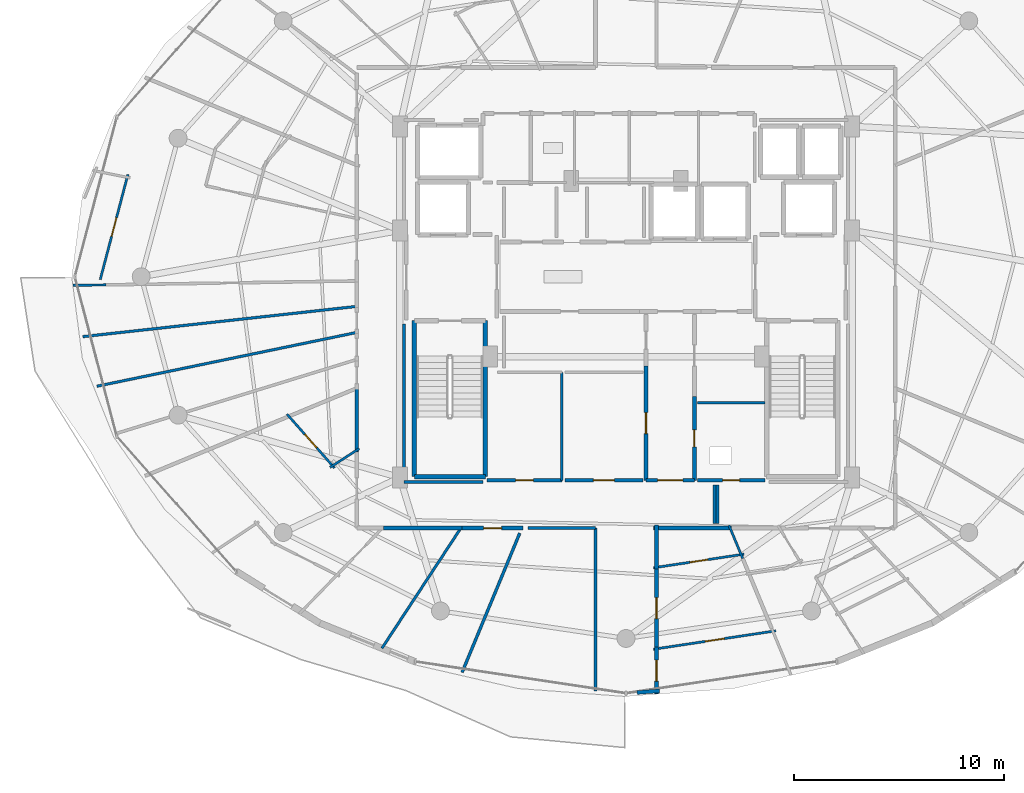
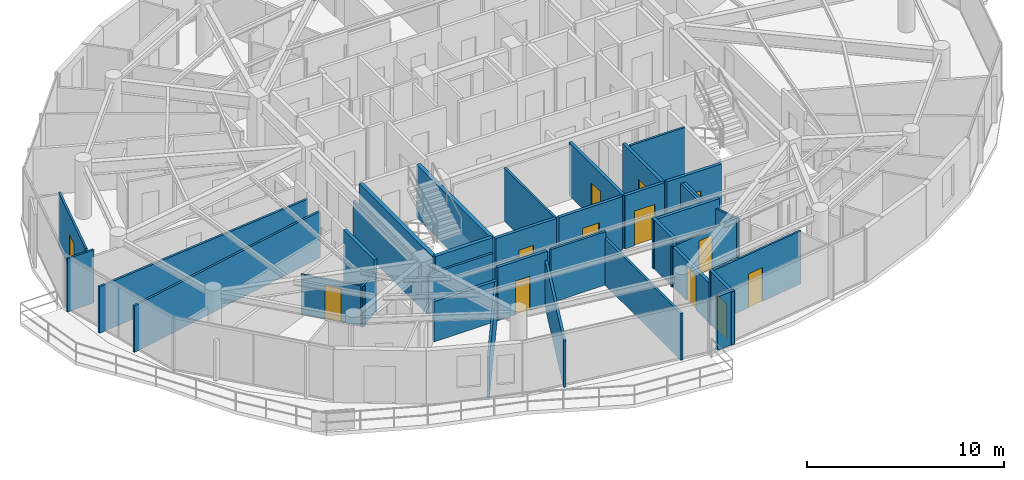
# One storey, part 23 of 31: 36 walls, 13 doors, 13 openings.
"""IFC4 building model written with IfcOpenShell, lengths in metres."""

from ifc_helpers import new_model, si_unit, direction, frame, frame_2d, origin, place, context, subcontext, project, spatial, rectangle, extrude, material, layer, layer_set, type_object, element, fill, save


model = new_model("IFC4")

# Units and contexts
model_context = context("Model", 3, precision=1e-05, world=origin(), true_north=direction((0.0, 1.0)))
body_context = subcontext(model_context, "Body", "Model", "MODEL_VIEW")
ifc_project = project(units=[si_unit("LENGTHUNIT", "METRE"), si_unit("AREAUNIT", "SQUARE_METRE"), si_unit("VOLUMEUNIT", "CUBIC_METRE"), si_unit("PLANEANGLEUNIT", "RADIAN"), si_unit("MASSUNIT", "GRAM", prefix="KILO")], contexts=[model_context])

# Site, building, storey
site_placement = place(None, origin())
site = spatial("IfcSite", under=ifc_project, at=site_placement, CompositionType="ELEMENT")
building_placement = place(site_placement, origin())
building = spatial("IfcBuilding", under=site, at=building_placement, Name="Vorneva Point Tower", CompositionType="ELEMENT")
storey_placement = place(building_placement, frame((0.0, 0.0, 248.449951171875)))
storey = spatial("IfcBuildingStorey", under=building, at=storey_placement, Name="L67", CompositionType="ELEMENT", Elevation=248.449951171875)

# Wall, opening, door
ifc_material_1 = material(Name="Fire-rated acoustic gypsum stud partition", Category="gypsum")
ifc_layer_1 = layer(ifc_material_1, 0.110107421875)
ifc_layer_set_1 = layer_set([ifc_layer_1], Name="Fire-rated acoustic gypsum stud partition")
wall_type_1 = type_object("IfcWallType", Name="WL-PART-110", PredefinedType="PARTITIONING", material=ifc_layer_set_1)
wall_1_placement = place(storey_placement, frame((14.318603515625, 30.8603515625, 0.0), z_axis=(0.0, 0.0, 1.0), x_axis=(-0.254404898477, -0.967097796312, 0.0)))
wall_1 = element("IfcWall", 1, at=wall_1_placement, inside=storey, type_object=wall_type_1, Name="L67 Interior Partition 089", PredefinedType="PARTITIONING", context=body_context, shape_type="SweptSolid", body=[
    extrude(rectangle(XDim=5.165771484375, YDim=0.110107421875, at=frame_2d((2.5830078125, 0.0))), origin(), (0.0, 0.0, 1.0), 3.2900390625),
])
opening_1_placement = place(wall_1_placement, frame((2.1328125, 0.0, 0.0)))
opening_1 = element("IfcOpeningElement", 2, at=opening_1_placement, cuts=wall_1, Name="Opening ID-01", PredefinedType="OPENING", context=body_context, shape_type="SweptSolid", body=[
    extrude(rectangle(XDim=0.89990234375, YDim=2.10009765625, at=frame_2d((0.449951171875, 1.050048828125))), frame((0.0, 0.06982421875, 0.0), z_axis=(0.0, -1.0, 0.0), x_axis=(1.0, 0.0, 0.0)), (0.0, 0.0, 1.0), 0.139892578125),
])
ifc_material_2 = material(Name="Engineered oak fire-rated door leaf", Category="wood")
door_type_1 = type_object("IfcDoorType", Name="DR-ROOM-900", OperationType="NOTDEFINED", PredefinedType="DOOR", material=ifc_material_2)
door_1_placement = place(opening_1_placement, origin())
door_1 = element("IfcDoor", 3, at=door_1_placement, inside=storey, type_object=door_type_1, Name="L67 Door Living and Dining Room L67-02 / Kitchen L67-02", OperationType="SINGLE_SWING_LEFT", OverallHeight=2.10009765625, OverallWidth=0.89990234375, PredefinedType="DOOR", context=body_context, shape_type="SweptSolid", body=[
    extrude(rectangle(XDim=0.89990234375, YDim=2.10009765625, at=frame_2d((0.449951171875, 1.050048828125))), frame((0.0, 0.02490234375, 0.0), z_axis=(0.0, -1.0, 0.0), x_axis=(1.0, 0.0, 0.0)), (0.0, 0.0, 1.0), 0.050048828125),
])
fill(opening_1, door_1)

# Walls
wall_2_placement = place(storey_placement, frame((11.714111328125, 25.5869140625, 0.0), z_axis=(0.0, 0.0, 1.0), x_axis=(0.9998813462, 0.015404334465, 0.0)))
element("IfcWall", 4, at=wall_2_placement, inside=storey, type_object=wall_type_1, Name="L67 Interior Partition 096", PredefinedType="PARTITIONING", context=body_context, shape_type="SweptSolid", body=[
    extrude(rectangle(XDim=1.569091796875, YDim=0.110107421875, at=frame_2d((0.78466796875, 0.0))), origin(), (0.0, 0.0, 1.0), 3.2900390625),
])
wall_3_placement = place(storey_placement, frame((25.317626953125, 17.827880859375, 0.0), z_axis=(0.0, 0.0, 1.0), x_axis=(-0.840783734709, -0.541371140207, 0.0)))
element("IfcWall", 5, at=wall_3_placement, inside=storey, type_object=wall_type_1, Name="L67 Interior Partition 101", PredefinedType="PARTITIONING", context=body_context, shape_type="SweptSolid", body=[
    extrude(rectangle(XDim=1.648681640625, YDim=0.110107421875, at=frame_2d((0.82421875, 0.0))), origin(), (0.0, 0.0, 1.0), 2.48193359375),
])

# Wall, opening, door
wall_4_placement = place(storey_placement, frame((24.1416015625, 16.906005859375, 0.0), z_axis=(0.0, 0.0, 1.0), x_axis=(-0.662044708061, 0.749464345068, 0.0)))
wall_4 = element("IfcWall", 6, at=wall_4_placement, inside=storey, type_object=wall_type_1, Name="L67 Interior Partition 102", PredefinedType="PARTITIONING", context=body_context, shape_type="SweptSolid", body=[
    extrude(rectangle(XDim=3.41552734375, YDim=0.110107421875, at=frame_2d((1.707763671875, 0.0))), origin(), (0.0, 0.0, 1.0), 2.48193359375),
])
opening_2_placement = place(wall_4_placement, frame((1.28271484375, 0.0, 0.0)))
opening_2 = element("IfcOpeningElement", 7, at=opening_2_placement, cuts=wall_4, Name="Opening ID-02", PredefinedType="OPENING", context=body_context, shape_type="SweptSolid", body=[
    extrude(rectangle(XDim=0.85009765625, YDim=2.10009765625, at=frame_2d((0.425048828125, 1.050048828125))), frame((0.0, 0.06982421875, 0.0), z_axis=(0.0, -1.0, 0.0), x_axis=(1.0, 0.0, 0.0)), (0.0, 0.0, 1.0), 0.139892578125),
])
door_type_2 = type_object("IfcDoorType", Name="DR-BATH-850", OperationType="NOTDEFINED", PredefinedType="DOOR", material=ifc_material_2)
door_2_placement = place(opening_2_placement, origin())
door_2 = element("IfcDoor", 8, at=door_2_placement, inside=storey, type_object=door_type_2, Name="L67 Door Living and Dining Room L67-03 / Bathroom L67-03", OperationType="SINGLE_SWING_RIGHT", OverallHeight=2.10009765625, OverallWidth=0.85009765625, PredefinedType="DOOR", context=body_context, shape_type="SweptSolid", body=[
    extrude(rectangle(XDim=0.85009765625, YDim=2.10009765625, at=frame_2d((0.425048828125, 1.050048828125))), frame((0.0, 0.02490234375, 0.0), z_axis=(0.0, -1.0, 0.0), x_axis=(1.0, 0.0, 0.0)), (0.0, 0.0, 1.0), 0.050048828125),
])
fill(opening_2, door_2)

# Wall
wall_5_placement = place(storey_placement, frame((43.549560546875, 12.602783203125, 0.0), z_axis=(0.0, 0.0, 1.0), x_axis=(-0.382735094105, 0.923858131826, 0.0)))
element("IfcWall", 9, at=wall_5_placement, inside=storey, type_object=wall_type_1, Name="L67 Interior Partition 109", PredefinedType="PARTITIONING", context=body_context, shape_type="SweptSolid", body=[
    extrude(rectangle(XDim=1.706298828125, YDim=0.110107421875, at=frame_2d((0.85302734375, 0.0))), origin(), (0.0, 0.0, 1.0), 2.48193359375),
])

# Wall, opening, door
wall_6_placement = place(storey_placement, frame((43.611328125, 12.807861328125, 0.0), z_axis=(0.0, 0.0, 1.0), x_axis=(-0.988876968465, -0.148735810213, 0.0)))
wall_6 = element("IfcWall", 10, at=wall_6_placement, inside=storey, type_object=wall_type_1, Name="L67 Interior Partition 110", PredefinedType="PARTITIONING", context=body_context, shape_type="SweptSolid", body=[
    extrude(rectangle(XDim=4.34814453125, YDim=0.110107421875, at=frame_2d((2.174072265625, 0.0))), origin(), (0.0, 0.0, 1.0), 2.48193359375),
])
opening_3_placement = place(wall_6_placement, frame((1.7490234375, 0.0, 0.0)))
opening_3 = element("IfcOpeningElement", 11, at=opening_3_placement, cuts=wall_6, Name="Opening ID-02", PredefinedType="OPENING", context=body_context, shape_type="SweptSolid", body=[
    extrude(rectangle(XDim=0.85009765625, YDim=2.10009765625, at=frame_2d((0.425048828125, 1.050048828125))), frame((0.0, 0.06982421875, 0.0), z_axis=(0.0, -1.0, 0.0), x_axis=(1.0, 0.0, 0.0)), (0.0, 0.0, 1.0), 0.139892578125),
])
door_3_placement = place(opening_3_placement, origin())
door_3 = element("IfcDoor", 12, at=door_3_placement, inside=storey, type_object=door_type_2, Name="L67 Door Studio Apartment L67-04 / Bathroom L67-04", OperationType="SINGLE_SWING_LEFT", OverallHeight=2.10009765625, OverallWidth=0.85009765625, PredefinedType="DOOR", context=body_context, shape_type="SweptSolid", body=[
    extrude(rectangle(XDim=0.85009765625, YDim=2.10009765625, at=frame_2d((0.425048828125, 1.050048828125))), frame((0.0, 0.02490234375, 0.0), z_axis=(0.0, -1.0, 0.0), x_axis=(1.0, 0.0, 0.0)), (0.0, 0.0, 1.0), 0.050048828125),
])
fill(opening_3, door_3)

wall_7_placement = place(storey_placement, frame((39.3115234375, 8.289306640625, 0.0), z_axis=(0.0, 0.0, 1.0), x_axis=(0.988884781275, 0.1486838571, 0.0)))
wall_7 = element("IfcWall", 13, at=wall_7_placement, inside=storey, type_object=wall_type_1, Name="L67 Interior Partition 112", PredefinedType="PARTITIONING", context=body_context, shape_type="SweptSolid", body=[
    extrude(rectangle(XDim=5.875, YDim=0.110107421875, at=frame_2d((2.9375, 0.0))), origin(), (0.0, 0.0, 1.0), 3.2900390625),
])
opening_4_placement = place(wall_7_placement, frame((2.487548828125, 0.0, 0.0)))
opening_4 = element("IfcOpeningElement", 14, at=opening_4_placement, cuts=wall_7, Name="Opening ID-01", PredefinedType="OPENING", context=body_context, shape_type="SweptSolid", body=[
    extrude(rectangle(XDim=0.89990234375, YDim=2.10009765625, at=frame_2d((0.449951171875, 1.050048828125))), frame((0.0, 0.06982421875, 0.0), z_axis=(0.0, -1.0, 0.0), x_axis=(1.0, 0.0, 0.0)), (0.0, 0.0, 1.0), 0.139892578125),
])
door_4_placement = place(opening_4_placement, origin())
door_4 = element("IfcDoor", 15, at=door_4_placement, inside=storey, type_object=door_type_1, Name="L67 Door Studio Apartment L67-04 / Kitchen L67-04", OperationType="SINGLE_SWING_RIGHT", OverallHeight=2.10009765625, OverallWidth=0.89990234375, PredefinedType="DOOR", context=body_context, shape_type="SweptSolid", body=[
    extrude(rectangle(XDim=0.89990234375, YDim=2.10009765625, at=frame_2d((0.449951171875, 1.050048828125))), frame((0.0, 0.02490234375, 0.0), z_axis=(0.0, -1.0, 0.0), x_axis=(1.0, 0.0, 0.0)), (0.0, 0.0, 1.0), 0.050048828125),
])
fill(opening_4, door_4)

# Walls
ifc_layer_2 = layer(ifc_material_1, 0.125)
ifc_layer_set_2 = layer_set([ifc_layer_2], Name="Fire-rated acoustic gypsum stud partition")
wall_type_2 = type_object("IfcWallType", Name="WL-PART-125", PredefinedType="PARTITIONING", material=ifc_layer_set_2)
wall_8_placement = place(storey_placement, frame((44.60009765625, 20.0, 0.0), z_axis=(0.0, 0.0, 1.0), x_axis=(-1.0, 0.0, 0.0)))
element("IfcWall", 16, at=wall_8_placement, inside=storey, type_object=wall_type_2, Name="L67 Interior Partition 020", PredefinedType="PARTITIONING", context=body_context, shape_type="SweptSolid", body=[
    extrude(rectangle(XDim=3.2001953125, YDim=0.125, at=frame_2d((1.60009765625, 0.0))), origin(), (0.0, 0.0, 1.0), 3.2900390625),
])
wall_9_placement = place(storey_placement, frame((34.949951171875, 16.320068359375, 0.0), z_axis=(0.0, 0.0, 1.0), x_axis=(0.0, 1.0, 0.0)))
element("IfcWall", 17, at=wall_9_placement, inside=storey, type_object=wall_type_2, Name="L67 Interior Partition 033", PredefinedType="PARTITIONING", context=body_context, shape_type="SweptSolid", body=[
    extrude(rectangle(XDim=5.1298828125, YDim=0.125, at=frame_2d((2.56494140625, 0.0))), origin(), (0.0, 0.0, 1.0), 3.2900390625),
])
wall_10_placement = place(storey_placement, frame((12.172119140625, 23.14892578125, 0.0), z_axis=(0.0, 0.0, 1.0), x_axis=(0.993963433103, 0.109711866515, 0.0)))
element("IfcWall", 18, at=wall_10_placement, inside=storey, type_object=wall_type_2, Name="L67 Interior Partition 097", PredefinedType="PARTITIONING", context=body_context, shape_type="SweptSolid", body=[
    extrude(rectangle(XDim=13.10693359375, YDim=0.125, at=frame_2d((6.553466796875, 0.0))), origin(), (0.0, 0.0, 1.0), 2.8740234375),
])
wall_11_placement = place(storey_placement, frame((12.844970703125, 20.791015625, 0.0), z_axis=(0.0, 0.0, 1.0), x_axis=(0.97923049011, 0.202750208975, 0.0)))
element("IfcWall", 19, at=wall_11_placement, inside=storey, type_object=wall_type_2, Name="L67 Interior Partition 098", PredefinedType="PARTITIONING", context=body_context, shape_type="SweptSolid", body=[
    extrude(rectangle(XDim=12.616943359375, YDim=0.125, at=frame_2d((6.30859375, 0.0))), origin(), (0.0, 0.0, 1.0), 2.8740234375),
])
wall_12_placement = place(storey_placement, frame((26.39697265625, 8.3359375, 0.0), z_axis=(0.0, 0.0, 1.0), x_axis=(0.548967647923, 0.835843598728, 0.0)))
element("IfcWall", 20, at=wall_12_placement, inside=storey, type_object=wall_type_2, Name="L67 Interior Partition 108", PredefinedType="PARTITIONING", context=body_context, shape_type="SweptSolid", body=[
    extrude(rectangle(XDim=6.83642578125, YDim=0.125, at=frame_2d((3.418212890625, 0.0))), origin(), (0.0, 0.0, 1.0), 2.48193359375),
])
ifc_layer_3 = layer(ifc_material_1, 0.139892578125)
ifc_layer_set_3 = layer_set([ifc_layer_3], Name="Fire-rated acoustic gypsum stud partition")
wall_type_3 = type_object("IfcWallType", Name="WL-PART-140", PredefinedType="PARTITIONING", material=ifc_layer_set_3)
wall_13_placement = place(storey_placement, frame((33.330078125, 14.050048828125, 0.0), z_axis=(0.0, 0.0, 1.0), x_axis=(1.0, 0.0, 0.0)))
element("IfcWall", 21, at=wall_13_placement, inside=storey, type_object=wall_type_3, Name="L67 Interior Closure Partition 137", PredefinedType="PARTITIONING", context=body_context, shape_type="SweptSolid", body=[
    extrude(rectangle(XDim=3.219970703125, YDim=0.139892578125, at=frame_2d((1.60986328125, 0.0))), origin(), (0.0, 0.0, 1.0), 3.2900390625),
])
wall_14_placement = place(storey_placement, frame((36.550048828125, 14.050048828125, 0.0), z_axis=(0.0, 0.0, 1.0), x_axis=(0.0, -1.0, 0.0)))
element("IfcWall", 22, at=wall_14_placement, inside=storey, type_object=wall_type_3, Name="L67 Interior Closure Partition 138", PredefinedType="PARTITIONING", context=body_context, shape_type="SweptSolid", body=[
    extrude(rectangle(XDim=7.7509765625, YDim=0.139892578125, at=frame_2d((3.87548828125, 0.0))), origin(), (0.0, 0.0, 1.0), 2.8740234375),
])
wall_15_placement = place(storey_placement, frame((27.449951171875, 23.75390625, 0.0), z_axis=(0.0, 0.0, 1.0), x_axis=(0.0, -1.0, 0.0)))
element("IfcWall", 23, at=wall_15_placement, inside=storey, type_object=wall_type_3, Name="L67 Interior Closure Partition 148", PredefinedType="PARTITIONING", context=body_context, shape_type="SweptSolid", body=[
    extrude(rectangle(XDim=7.513916015625, YDim=0.139892578125, at=frame_2d((3.7568359375, 0.0))), origin(), (0.0, 0.0, 1.0), 2.48193359375),
])
wall_16_placement = place(storey_placement, frame((27.449951171875, 16.239990234375, 0.0), z_axis=(0.0, 0.0, 1.0), x_axis=(1.0, 0.0, 0.0)))
element("IfcWall", 24, at=wall_16_placement, inside=storey, type_object=wall_type_3, Name="L67 Interior Closure Partition 149", PredefinedType="PARTITIONING", context=body_context, shape_type="SweptSolid", body=[
    extrude(rectangle(XDim=3.7451171875, YDim=0.139892578125, at=frame_2d((1.87255859375, 0.0))), origin(), (0.0, 0.0, 1.0), 2.48193359375),
])
for number, where, z_axis, x_axis, name in (
    (25, (42.199951171875, 16.10009765625, 0.0), (0.0, 0.0, 1.0), (0.0, -1.0, 0.0), "L67 Interior Closure Partition 150"),
    (26, (42.340087890625, 14.27001953125, 0.0), (0.0, 0.0, 1.0), (0.0, 1.0, 0.0), "L67 Interior Closure Partition 151"),
):
    element("IfcWall", number, at=place(storey_placement, frame(where, z_axis=z_axis, x_axis=x_axis)), inside=storey, type_object=wall_type_3, Name=name, PredefinedType="PARTITIONING", context=body_context, shape_type="SweptSolid", body=[
        extrude(rectangle(XDim=1.830078125, YDim=0.139892578125, at=frame_2d((0.9150390625, 0.0))), origin(), (0.0, 0.0, 1.0), 3.02197265625),
    ])
wall_17_placement = place(storey_placement, frame((30.20703125, 7.18701171875, 0.0), z_axis=(0.0, 0.0, 1.0), x_axis=(0.382679691634, 0.923881081964, 0.0)))
element("IfcWall", 27, at=wall_17_placement, inside=storey, type_object=wall_type_3, Name="L67 Interior Closure Partition 152", PredefinedType="PARTITIONING", context=body_context, shape_type="SweptSolid", body=[
    extrude(rectangle(XDim=7.167724609375, YDim=0.139892578125, at=frame_2d((3.583984375, 0.0))), origin(), (0.0, 0.0, 1.0), 2.8740234375),
])

# Wall, opening, door
ifc_material_3 = material(Name="Autoclaved aerated concrete blockwork", Category="masonry")
ifc_layer_4 = layer(ifc_material_3, 0.179931640625)
ifc_layer_set_4 = layer_set([ifc_layer_4], Name="Autoclaved aerated concrete blockwork")
wall_type_4 = type_object("IfcWallType", Name="WL-PART-180", PredefinedType="PARTITIONING", material=ifc_layer_set_4)
wall_18_placement = place(storey_placement, frame((41.25, 16.320068359375, 0.0), z_axis=(0.0, 0.0, 1.0), x_axis=(0.0, 1.0, 0.0)))
wall_18 = element("IfcWall", 28, at=wall_18_placement, inside=storey, type_object=wall_type_4, Name="L67 Interior Partition 015", PredefinedType="PARTITIONING", context=body_context, shape_type="SweptSolid", body=[
    extrude(rectangle(XDim=3.98486328125, YDim=0.179931640625, at=frame_2d((1.992431640625, 0.0))), origin(), (0.0, 0.0, 1.0), 3.2900390625),
])
opening_5_placement = place(wall_18_placement, frame((1.592529296875, 0.0, 0.0)))
opening_5 = element("IfcOpeningElement", 29, at=opening_5_placement, cuts=wall_18, Name="Opening RD-01", PredefinedType="OPENING", context=body_context, shape_type="SweptSolid", body=[
    extrude(rectangle(XDim=0.800048828125, YDim=2.050048828125, at=frame_2d((0.39990234375, 1.02490234375))), frame((0.0, 0.10498046875, 0.0), z_axis=(0.0, -1.0, 0.0), x_axis=(1.0, 0.0, 0.0)), (0.0, 0.0, 1.0), 0.209716796875),
])
ifc_material_4 = material(Name="Fire-rated powder-coated steel", Category="steel")
door_type_3 = type_object("IfcDoorType", Name="DR-RSR-800", OperationType="SINGLE_SWING_LEFT", PredefinedType="DOOR", material=ifc_material_4)
door_5_placement = place(opening_5_placement, origin())
door_5 = element("IfcDoor", 30, at=door_5_placement, inside=storey, type_object=door_type_3, Name="L67 Door Core Service Lobby / Electrical Riser", OperationType="SINGLE_SWING_LEFT", OverallHeight=2.050048828125, OverallWidth=0.800048828125, PredefinedType="DOOR", context=body_context, shape_type="SweptSolid", body=[
    extrude(rectangle(XDim=0.800048828125, YDim=2.050048828125, at=frame_2d((0.39990234375, 1.02490234375))), frame((0.0, 0.02490234375, 0.0), z_axis=(0.0, -1.0, 0.0), x_axis=(1.0, 0.0, 0.0)), (0.0, 0.0, 1.0), 0.050048828125),
])
fill(opening_5, door_5)

wall_19_placement = place(storey_placement, frame((38.949951171875, 21.7548828125, 0.0), z_axis=(0.0, 0.0, 1.0), x_axis=(0.0, -1.0, 0.0)))
wall_19 = element("IfcWall", 31, at=wall_19_placement, inside=storey, type_object=wall_type_4, Name="L67 Interior Partition 017", PredefinedType="PARTITIONING", context=body_context, shape_type="SweptSolid", body=[
    extrude(rectangle(XDim=5.434814453125, YDim=0.179931640625, at=frame_2d((2.71728515625, 0.0))), origin(), (0.0, 0.0, 1.0), 3.2900390625),
])
opening_6_placement = place(wall_19_placement, frame((2.217529296875, 0.0, 0.0)))
opening_6 = element("IfcOpeningElement", 32, at=opening_6_placement, cuts=wall_19, Name="Opening UD-01", PredefinedType="OPENING", context=body_context, shape_type="SweptSolid", body=[
    extrude(rectangle(XDim=1.0, YDim=2.14990234375, at=frame_2d((0.5, 1.074951171875))), frame((0.0, 0.10498046875, 0.0), z_axis=(0.0, -1.0, 0.0), x_axis=(1.0, 0.0, 0.0)), (0.0, 0.0, 1.0), 0.209716796875),
])
door_type_4 = type_object("IfcDoorType", Name="DR-UNIT-1000", OperationType="NOTDEFINED", PredefinedType="DOOR", material=ifc_material_2)
door_6_placement = place(opening_6_placement, origin())
door_6 = element("IfcDoor", 33, at=door_6_placement, inside=storey, type_object=door_type_4, Name="L67 Door Core Service Lobby / Staff Service Pantry", OperationType="SINGLE_SWING_LEFT", OverallHeight=2.14990234375, OverallWidth=1.0, PredefinedType="DOOR", context=body_context, shape_type="SweptSolid", body=[
    extrude(rectangle(XDim=1.0, YDim=2.14990234375, at=frame_2d((0.5, 1.074951171875))), frame((0.0, 0.02490234375, 0.0), z_axis=(0.0, -1.0, 0.0), x_axis=(1.0, 0.0, 0.0)), (0.0, 0.0, 1.0), 0.050048828125),
])
fill(opening_6, door_6)

wall_20_placement = place(storey_placement, frame((38.949951171875, 16.320068359375, 0.0), z_axis=(0.0, 0.0, 1.0), x_axis=(1.0, 0.0, 0.0)))
wall_20 = element("IfcWall", 34, at=wall_20_placement, inside=storey, type_object=wall_type_4, Name="L67 Interior Partition 019", PredefinedType="PARTITIONING", context=body_context, shape_type="SweptSolid", body=[
    extrude(rectangle(XDim=2.300048828125, YDim=0.179931640625, at=frame_2d((1.14990234375, 0.0))), origin(), (0.0, 0.0, 1.0), 3.2900390625),
])
opening_7_placement = place(wall_20_placement, frame((0.550048828125, 0.0, 0.0)))
opening_7 = element("IfcOpeningElement", 35, at=opening_7_placement, cuts=wall_20, Name="Opening FD-02", PredefinedType="OPENING", context=body_context, shape_type="SweptSolid", body=[
    extrude(rectangle(XDim=1.199951171875, YDim=2.14990234375, at=frame_2d((0.60009765625, 1.074951171875))), frame((0.0, 0.10498046875, 0.0), z_axis=(0.0, -1.0, 0.0), x_axis=(1.0, 0.0, 0.0)), (0.0, 0.0, 1.0), 0.209716796875),
])
door_type_5 = type_object("IfcDoorType", Name="DR-FFL-1200", OperationType="NOTDEFINED", PredefinedType="DOOR", material=ifc_material_4)
door_7_placement = place(opening_7_placement, origin())
door_7 = element("IfcDoor", 36, at=door_7_placement, inside=storey, type_object=door_type_5, Name="L67 Door Core Service Lobby / L67 Circulation Corridor", OperationType="SINGLE_SWING_LEFT", OverallHeight=2.14990234375, OverallWidth=1.199951171875, PredefinedType="DOOR", context=body_context, shape_type="SweptSolid", body=[
    extrude(rectangle(XDim=1.199951171875, YDim=2.14990234375, at=frame_2d((0.60009765625, 1.074951171875))), frame((0.0, 0.02490234375, 0.0), z_axis=(0.0, -1.0, 0.0), x_axis=(1.0, 0.0, 0.0)), (0.0, 0.0, 1.0), 0.050048828125),
])
fill(opening_7, door_7)

wall_21_placement = place(storey_placement, frame((41.39990234375, 16.320068359375, 0.0), z_axis=(0.0, 0.0, 1.0), x_axis=(1.0, 0.0, 0.0)))
wall_21 = element("IfcWall", 37, at=wall_21_placement, inside=storey, type_object=wall_type_4, Name="L67 Interior Partition 021", PredefinedType="PARTITIONING", context=body_context, shape_type="SweptSolid", body=[
    extrude(rectangle(XDim=3.2001953125, YDim=0.179931640625, at=frame_2d((1.60009765625, 0.0))), origin(), (0.0, 0.0, 1.0), 3.2900390625),
])
opening_8_placement = place(wall_21_placement, frame((1.199951171875, 0.0, 0.0)))
opening_8 = element("IfcOpeningElement", 38, at=opening_8_placement, cuts=wall_21, Name="Opening RD-01", PredefinedType="OPENING", context=body_context, shape_type="SweptSolid", body=[
    extrude(rectangle(XDim=0.800048828125, YDim=2.050048828125, at=frame_2d((0.39990234375, 1.02490234375))), frame((0.0, 0.10498046875, 0.0), z_axis=(0.0, -1.0, 0.0), x_axis=(1.0, 0.0, 0.0)), (0.0, 0.0, 1.0), 0.209716796875),
])
door_8_placement = place(opening_8_placement, origin())
door_8 = element("IfcDoor", 39, at=door_8_placement, inside=storey, type_object=door_type_3, Name="L67 Door Electrical Riser / L67 Circulation Corridor", OperationType="SINGLE_SWING_RIGHT", OverallHeight=2.050048828125, OverallWidth=0.800048828125, PredefinedType="DOOR", context=body_context, shape_type="SweptSolid", body=[
    extrude(rectangle(XDim=0.800048828125, YDim=2.050048828125, at=frame_2d((0.39990234375, 1.02490234375))), frame((0.0, 0.02490234375, 0.0), z_axis=(0.0, -1.0, 0.0), x_axis=(1.0, 0.0, 0.0)), (0.0, 0.0, 1.0), 0.050048828125),
])
fill(opening_8, door_8)

wall_22_placement = place(storey_placement, frame((31.39990234375, 16.320068359375, 0.0), z_axis=(0.0, 0.0, 1.0), x_axis=(1.0, 0.0, 0.0)))
wall_22 = element("IfcWall", 40, at=wall_22_placement, inside=storey, type_object=wall_type_4, Name="L67 Interior Partition 035", PredefinedType="PARTITIONING", context=body_context, shape_type="SweptSolid", body=[
    extrude(rectangle(XDim=3.550048828125, YDim=0.179931640625, at=frame_2d((1.77490234375, 0.0))), origin(), (0.0, 0.0, 1.0), 3.2900390625),
])
opening_9_placement = place(wall_22_placement, frame((1.35009765625, 0.0, 0.0)))
opening_9 = element("IfcOpeningElement", 41, at=opening_9_placement, cuts=wall_22, Name="Opening ID-02", PredefinedType="OPENING", context=body_context, shape_type="SweptSolid", body=[
    extrude(rectangle(XDim=0.85009765625, YDim=2.10009765625, at=frame_2d((0.425048828125, 1.050048828125))), frame((0.0, 0.10498046875, 0.0), z_axis=(0.0, -1.0, 0.0), x_axis=(1.0, 0.0, 0.0)), (0.0, 0.0, 1.0), 0.209716796875),
])
door_9_placement = place(opening_9_placement, origin())
door_9 = element("IfcDoor", 42, at=door_9_placement, inside=storey, type_object=door_type_2, Name="L67 Door Luggage Store / L67 Circulation Corridor", OperationType="SINGLE_SWING_LEFT", OverallHeight=2.10009765625, OverallWidth=0.85009765625, PredefinedType="DOOR", context=body_context, shape_type="SweptSolid", body=[
    extrude(rectangle(XDim=0.85009765625, YDim=2.10009765625, at=frame_2d((0.425048828125, 1.050048828125))), frame((0.0, 0.02490234375, 0.0), z_axis=(0.0, -1.0, 0.0), x_axis=(1.0, 0.0, 0.0)), (0.0, 0.0, 1.0), 0.050048828125),
])
fill(opening_9, door_9)

wall_23_placement = place(storey_placement, frame((35.10009765625, 16.320068359375, 0.0), z_axis=(0.0, 0.0, 1.0), x_axis=(1.0, 0.0, 0.0)))
wall_23 = element("IfcWall", 43, at=wall_23_placement, inside=storey, type_object=wall_type_4, Name="L67 Interior Partition 037", PredefinedType="PARTITIONING", context=body_context, shape_type="SweptSolid", body=[
    extrude(rectangle(XDim=3.699951171875, YDim=0.179931640625, at=frame_2d((1.85009765625, 0.0))), origin(), (0.0, 0.0, 1.0), 3.2900390625),
])
opening_10_placement = place(wall_23_placement, frame((1.35009765625, 0.0, 0.0)))
opening_10 = element("IfcOpeningElement", 44, at=opening_10_placement, cuts=wall_23, Name="Opening UD-01", PredefinedType="OPENING", context=body_context, shape_type="SweptSolid", body=[
    extrude(rectangle(XDim=1.0, YDim=2.14990234375, at=frame_2d((0.5, 1.074951171875))), frame((0.0, 0.10498046875, 0.0), z_axis=(0.0, -1.0, 0.0), x_axis=(1.0, 0.0, 0.0)), (0.0, 0.0, 1.0), 0.209716796875),
])
door_10_placement = place(opening_10_placement, origin())
door_10 = element("IfcDoor", 45, at=door_10_placement, inside=storey, type_object=door_type_4, Name="L67 Door Staff Service Pantry / L67 Circulation Corridor", OperationType="SINGLE_SWING_RIGHT", OverallHeight=2.14990234375, OverallWidth=1.0, PredefinedType="DOOR", context=body_context, shape_type="SweptSolid", body=[
    extrude(rectangle(XDim=1.0, YDim=2.14990234375, at=frame_2d((0.5, 1.074951171875))), frame((0.0, 0.02490234375, 0.0), z_axis=(0.0, -1.0, 0.0), x_axis=(1.0, 0.0, 0.0)), (0.0, 0.0, 1.0), 0.050048828125),
])
fill(opening_10, door_10)

# Walls
wall_24_placement = place(storey_placement, frame((25.199951171875, 20.77294921875, 0.0), z_axis=(0.0, 0.0, 1.0), x_axis=(0.0, -1.0, 0.0)))
element("IfcWall", 46, at=wall_24_placement, inside=storey, type_object=wall_type_4, Name="L67 Interior Partition 051", PredefinedType="PARTITIONING", context=body_context, shape_type="SweptSolid", body=[
    extrude(rectangle(XDim=3.100830078125, YDim=0.179931640625, at=frame_2d((1.55029296875, 0.0))), origin(), (0.0, 0.0, 1.0), 3.2900390625),
])
wall_25_placement = place(storey_placement, frame((26.47998046875, 14.050048828125, 0.0), z_axis=(0.0, 0.0, 1.0), x_axis=(1.0, 0.0, 0.0)))
element("IfcWall", 47, at=wall_25_placement, inside=storey, type_object=wall_type_4, Name="L67 Interior Partition 052", PredefinedType="PARTITIONING", context=body_context, shape_type="SweptSolid", body=[
    extrude(rectangle(XDim=3.72998046875, YDim=0.179931640625, at=frame_2d((1.864990234375, 0.0))), origin(), (0.0, 0.0, 1.0), 2.48193359375),
])

# Wall, opening, door
wall_26_placement = place(storey_placement, frame((30.2099609375, 14.050048828125, 0.0), z_axis=(0.0, 0.0, 1.0), x_axis=(1.0, 0.0, 0.0)))
wall_26 = element("IfcWall", 48, at=wall_26_placement, inside=storey, type_object=wall_type_4, Name="L67 Interior Partition 053", PredefinedType="PARTITIONING", context=body_context, shape_type="SweptSolid", body=[
    extrude(rectangle(XDim=2.900146484375, YDim=0.179931640625, at=frame_2d((1.4501953125, 0.0))), origin(), (0.0, 0.0, 1.0), 3.2900390625),
])
opening_11_placement = place(wall_26_placement, frame((1.02490234375, 0.0, 0.0)))
opening_11 = element("IfcOpeningElement", 49, at=opening_11_placement, cuts=wall_26, Name="Opening ID-02", PredefinedType="OPENING", context=body_context, shape_type="SweptSolid", body=[
    extrude(rectangle(XDim=0.85009765625, YDim=2.10009765625, at=frame_2d((0.425048828125, 1.050048828125))), frame((0.0, 0.10498046875, 0.0), z_axis=(0.0, -1.0, 0.0), x_axis=(1.0, 0.0, 0.0)), (0.0, 0.0, 1.0), 0.209716796875),
])
door_11_placement = place(opening_11_placement, origin())
door_11 = element("IfcDoor", 50, at=door_11_placement, inside=storey, type_object=door_type_2, Name="L67 Access Door L67 Circulation Corridor", OperationType="SINGLE_SWING_RIGHT", OverallHeight=2.10009765625, OverallWidth=0.85009765625, PredefinedType="DOOR", context=body_context, shape_type="SweptSolid", body=[
    extrude(rectangle(XDim=0.85009765625, YDim=2.10009765625, at=frame_2d((0.425048828125, 1.050048828125))), frame((0.0, 0.02490234375, 0.0), z_axis=(0.0, -1.0, 0.0), x_axis=(1.0, 0.0, 0.0)), (0.0, 0.0, 1.0), 0.050048828125),
])
fill(opening_11, door_11)

wall_27_placement = place(storey_placement, frame((39.449951171875, 8.25, 0.0), z_axis=(0.0, 0.0, 1.0), x_axis=(0.0, 1.0, 0.0)))
wall_27 = element("IfcWall", 51, at=wall_27_placement, inside=storey, type_object=wall_type_4, Name="L67 Interior Partition 054", PredefinedType="PARTITIONING", context=body_context, shape_type="SweptSolid", body=[
    extrude(rectangle(XDim=3.992919921875, YDim=0.179931640625, at=frame_2d((1.99658203125, 0.0))), origin(), (0.0, 0.0, 1.0), 2.48193359375),
])
opening_12_placement = place(wall_27_placement, frame((1.49658203125, 0.0, 0.0)))
opening_12 = element("IfcOpeningElement", 52, at=opening_12_placement, cuts=wall_27, Name="Opening UD-01", PredefinedType="OPENING", context=body_context, shape_type="SweptSolid", body=[
    extrude(rectangle(XDim=1.0, YDim=2.14990234375, at=frame_2d((0.5, 1.074951171875))), frame((0.0, 0.10498046875, 0.0), z_axis=(0.0, -1.0, 0.0), x_axis=(1.0, 0.0, 0.0)), (0.0, 0.0, 1.0), 0.209716796875),
])
door_12_placement = place(opening_12_placement, origin())
door_12 = element("IfcDoor", 53, at=door_12_placement, inside=storey, type_object=door_type_4, Name="L67 Door L67 Circulation Corridor / Studio Apartment L67-04", OperationType="SINGLE_SWING_RIGHT", OverallHeight=2.14990234375, OverallWidth=1.0, PredefinedType="DOOR", context=body_context, shape_type="SweptSolid", body=[
    extrude(rectangle(XDim=1.0, YDim=2.14990234375, at=frame_2d((0.5, 1.074951171875))), frame((0.0, 0.02490234375, 0.0), z_axis=(0.0, -1.0, 0.0), x_axis=(1.0, 0.0, 0.0)), (0.0, 0.0, 1.0), 0.050048828125),
])
fill(opening_12, door_12)

# Walls
wall_28_placement = place(storey_placement, frame((39.449951171875, 12.10302734375, 0.0), z_axis=(0.0, 0.0, 1.0), x_axis=(0.0, 1.0, 0.0)))
element("IfcWall", 54, at=wall_28_placement, inside=storey, type_object=wall_type_4, Name="L67 Interior Partition 055", PredefinedType="PARTITIONING", context=body_context, shape_type="SweptSolid", body=[
    extrude(rectangle(XDim=2.0869140625, YDim=0.179931640625, at=frame_2d((1.04345703125, 0.0))), origin(), (0.0, 0.0, 1.0), 3.02197265625),
])
wall_29_placement = place(storey_placement, frame((39.31005859375, 14.050048828125, 0.0), z_axis=(0.0, 0.0, 1.0), x_axis=(1.0, 0.0, 0.0)))
element("IfcWall", 55, at=wall_29_placement, inside=storey, type_object=wall_type_4, Name="L67 Interior Partition 056", PredefinedType="PARTITIONING", context=body_context, shape_type="SweptSolid", body=[
    extrude(rectangle(XDim=3.844970703125, YDim=0.179931640625, at=frame_2d((1.92236328125, 0.0))), origin(), (0.0, 0.0, 1.0), 3.02197265625),
])
wall_30_placement = place(storey_placement, frame((38.531494140625, 6.2294921875, 0.0), z_axis=(0.0, 0.0, 1.0), x_axis=(0.997148461952, 0.075464858219, 0.0)))
element("IfcWall", 56, at=wall_30_placement, inside=storey, type_object=wall_type_4, Name="L67 Interior Partition 057", PredefinedType="PARTITIONING", context=body_context, shape_type="SweptSolid", body=[
    extrude(rectangle(XDim=1.06103515625, YDim=0.179931640625, at=frame_2d((0.530517578125, 0.0))), origin(), (0.0, 0.0, 1.0), 3.2900390625),
])

# Wall, opening, door
wall_31_placement = place(storey_placement, frame((39.449951171875, 6.158935546875, 0.0), z_axis=(0.0, 0.0, 1.0), x_axis=(0.0, 1.0, 0.0)))
wall_31 = element("IfcWall", 57, at=wall_31_placement, inside=storey, type_object=wall_type_4, Name="L67 Interior Partition 058", PredefinedType="PARTITIONING", context=body_context, shape_type="SweptSolid", body=[
    extrude(rectangle(XDim=2.23095703125, YDim=0.179931640625, at=frame_2d((1.115478515625, 0.0))), origin(), (0.0, 0.0, 1.0), 3.2900390625),
])
opening_13_placement = place(wall_31_placement, frame((0.615478515625, 0.0, 0.0)))
opening_13 = element("IfcOpeningElement", 58, at=opening_13_placement, cuts=wall_31, Name="Opening UD-01", PredefinedType="OPENING", context=body_context, shape_type="SweptSolid", body=[
    extrude(rectangle(XDim=1.0, YDim=2.14990234375, at=frame_2d((0.5, 1.074951171875))), frame((0.0, 0.10498046875, 0.0), z_axis=(0.0, -1.0, 0.0), x_axis=(1.0, 0.0, 0.0)), (0.0, 0.0, 1.0), 0.209716796875),
])
door_13_placement = place(opening_13_placement, origin())
door_13 = element("IfcDoor", 59, at=door_13_placement, inside=storey, type_object=door_type_4, Name="L67 Door L67 Circulation Corridor / Kitchen L67-04", OperationType="SINGLE_SWING_LEFT", OverallHeight=2.14990234375, OverallWidth=1.0, PredefinedType="DOOR", context=body_context, shape_type="SweptSolid", body=[
    extrude(rectangle(XDim=1.0, YDim=2.14990234375, at=frame_2d((0.5, 1.074951171875))), frame((0.0, 0.02490234375, 0.0), z_axis=(0.0, -1.0, 0.0), x_axis=(1.0, 0.0, 0.0)), (0.0, 0.0, 1.0), 0.050048828125),
])
fill(opening_13, door_13)

# Walls
ifc_material_5 = material(Name="Concrete B50 (C40/50)", Category="concrete")
ifc_layer_5 = layer(ifc_material_5, 0.219970703125)
ifc_layer_set_5 = layer_set([ifc_layer_5], Name="Concrete B50 (C40/50)")
wall_type_5 = type_object("IfcWallType", Name="WL-SHFT-220", PredefinedType="SOLIDWALL", material=ifc_layer_set_5)
wall_32_placement = place(storey_placement, frame((31.31005859375, 23.909912109375, 0.0), z_axis=(0.0, 0.0, 1.0), x_axis=(0.0, -1.0, 0.0)))
element("IfcWall", 60, at=wall_32_placement, inside=storey, type_object=wall_type_5, Name="L67 Exit Stair ST1 Shaft Wall right", PredefinedType="SOLIDWALL", context=body_context, shape_type="SweptSolid", body=[
    extrude(rectangle(XDim=7.419921875, YDim=0.219970703125, at=frame_2d((3.7099609375, 0.0))), origin(), (0.0, 0.0, 1.0), 3.2900390625),
])
wall_33_placement = place(storey_placement, frame((31.31005859375, 16.489990234375, 0.0), z_axis=(0.0, 0.0, 1.0), x_axis=(-1.0, 0.0, 0.0)))
element("IfcWall", 61, at=wall_33_placement, inside=storey, type_object=wall_type_5, Name="L67 Exit Stair ST1 Shaft Wall far", PredefinedType="SOLIDWALL", context=body_context, shape_type="SweptSolid", body=[
    extrude(rectangle(XDim=3.3701171875, YDim=0.219970703125, at=frame_2d((1.68505859375, 0.0))), origin(), (0.0, 0.0, 1.0), 3.2900390625),
])
wall_34_placement = place(storey_placement, frame((27.93994140625, 16.489990234375, 0.0), z_axis=(0.0, 0.0, 1.0), x_axis=(0.0, 1.0, 0.0)))
element("IfcWall", 62, at=wall_34_placement, inside=storey, type_object=wall_type_5, Name="L67 Exit Stair ST1 Shaft Wall left", PredefinedType="SOLIDWALL", context=body_context, shape_type="SweptSolid", body=[
    extrude(rectangle(XDim=7.419921875, YDim=0.219970703125, at=frame_2d((3.7099609375, 0.0))), origin(), (0.0, 0.0, 1.0), 3.2900390625),
])

save(model, "model.ifc")
